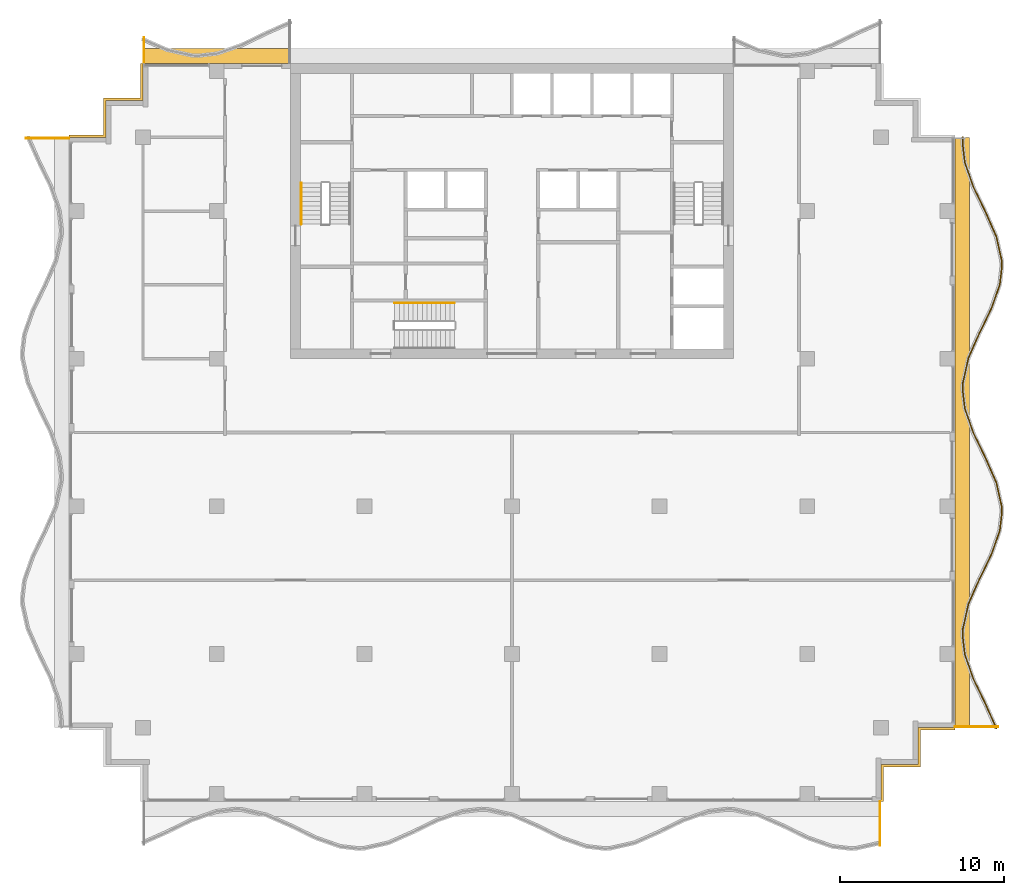
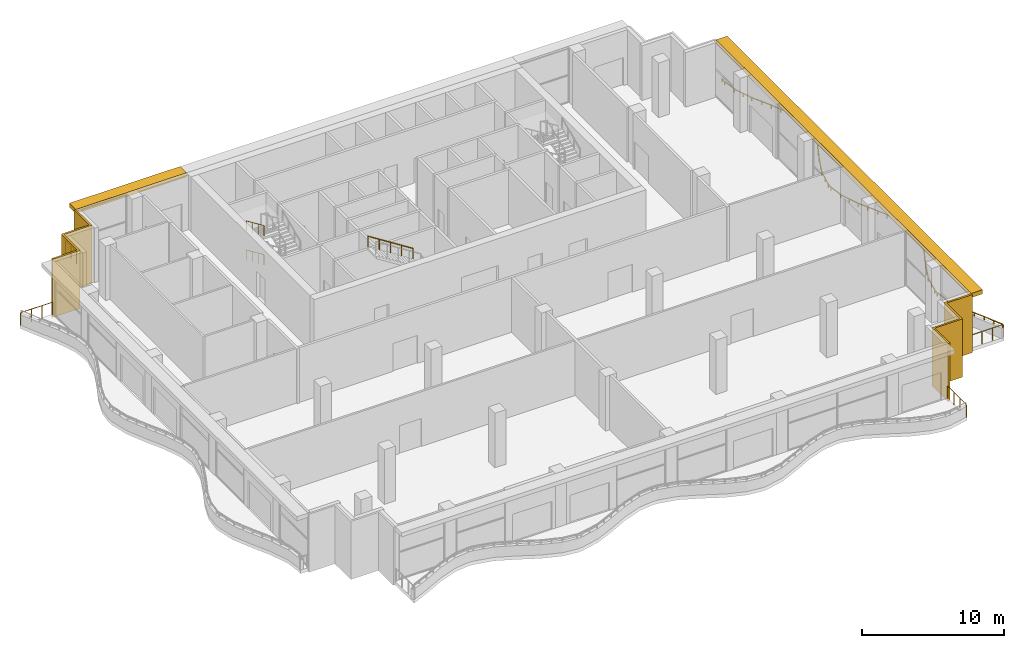
# One storey, part 13 of 14: 8 railings, 4 shading devices.
"""IFC4 building model written with IfcOpenShell, lengths in metres."""

from ifc_helpers import new_model, si_unit, direction, frame, origin, origin_2d, place, context, subcontext, project, spatial, polyline, rectangle, circle, outline, extrude, material, layer, layer_set, type_object, element, save


model = new_model("IFC4")

# Units and contexts
model_context = context("Model", 3, precision=1e-05, world=origin(), true_north=direction((0.0, 1.0)))
body_context = subcontext(model_context, "Body", "Model", "MODEL_VIEW")
ifc_project = project(units=[si_unit("LENGTHUNIT", "METRE"), si_unit("AREAUNIT", "SQUARE_METRE"), si_unit("VOLUMEUNIT", "CUBIC_METRE"), si_unit("PLANEANGLEUNIT", "RADIAN"), si_unit("MASSUNIT", "GRAM", prefix="KILO")], contexts=[model_context])

# Site, building, storey
site_placement = place(None, origin())
site = spatial("IfcSite", under=ifc_project, at=site_placement, CompositionType="ELEMENT")
building_placement = place(site_placement, origin())
building = spatial("IfcBuilding", under=site, at=building_placement, Name="Orbiselva Terraces", CompositionType="ELEMENT")
storey_placement = place(building_placement, frame((0.0, 0.0, 284.4)))
storey = spatial("IfcBuildingStorey", under=building, at=storey_placement, Name="L72", CompositionType="ELEMENT", Elevation=284.4)

# Railings
ifc_material_1 = material(Name="Stainless steel", Category="steel")
railing_type_1 = type_object("IfcRailingType", Name="CORE-HANDRAIL-900", PredefinedType="HANDRAIL", material=ifc_material_1)
for number, where, name in (
    (1, (-12.85, 15.22, 1.375), "L72 S1 stair handrail 2"),
    (2, (-12.85, 15.22, 3.875), "L72 S1 stair handrail 4"),
):
    element("IfcRailing", number, at=place(storey_placement, frame(where)), inside=storey, type_object=railing_type_1, Name=name, PredefinedType="HANDRAIL", context=body_context, shape_type="SweptSolid", body=[
        extrude(circle(Radius=0.024, at=origin_2d()), frame((0.0, 0.0, 0.876), z_axis=(0.0, -0.913137882438, 0.407650840374), x_axis=(1.0, 0.0, 0.0)), (0.0, 0.0, 1.0), 2.759715),
        extrude(circle(Radius=0.021, at=origin_2d()), origin(), (0.0, 0.0, 1.0), 0.852),
        extrude(circle(Radius=0.021, at=origin_2d()), frame((0.0, -0.84, 0.375)), (0.0, 0.0, 1.0), 0.852),
        extrude(circle(Radius=0.021, at=origin_2d()), frame((0.0, -1.68, 0.75)), (0.0, 0.0, 1.0), 0.852),
        extrude(circle(Radius=0.021, at=origin_2d()), frame((0.0, -2.52, 1.125)), (0.0, 0.0, 1.0), 0.852),
    ])
railing_1_placement = place(storey_placement, frame((-3.51, 7.9, 2.678571)))
element("IfcRailing", 3, at=railing_1_placement, inside=storey, type_object=railing_type_1, Name="L72 S3 stair handrail 2", PredefinedType="HANDRAIL", context=body_context, shape_type="SweptSolid", body=[
    extrude(circle(Radius=0.024, at=origin_2d()), frame((0.0, 0.0, 0.876), z_axis=(-0.843129645223, 0.0, 0.537710332192), x_axis=(0.0, -1.0, 0.0)), (0.0, 0.0, 1.0), 4.317248),
    extrude(circle(Radius=0.021, at=origin_2d()), origin(), (0.0, 0.0, 1.0), 0.852),
    extrude(circle(Radius=0.021, at=origin_2d()), frame((-0.91, 0.0, 0.580357)), (0.0, 0.0, 1.0), 0.852),
    extrude(circle(Radius=0.021, at=origin_2d()), frame((-1.82, 0.0, 1.160714)), (0.0, 0.0, 1.0), 0.852),
    extrude(circle(Radius=0.021, at=origin_2d()), frame((-2.73, 0.0, 1.741072)), (0.0, 0.0, 1.0), 0.852),
    extrude(circle(Radius=0.021, at=origin_2d()), frame((-3.64, 0.0, 2.321429)), (0.0, 0.0, 1.0), 0.852),
])
ifc_material_2 = material(Name="Bonded two-ply safety glass balustrade, stainless steel posts", Category="steel")
railing_type_2 = type_object("IfcRailingType", Name="ENV-BALUSTRADE-1200", PredefinedType="BALUSTRADE", material=ifc_material_2)
railing_2_placement = place(storey_placement, frame((29.534136, -18.050394, 0.9)))
element("IfcRailing", 4, at=railing_2_placement, inside=storey, type_object=railing_type_2, Name="Balcony balustrade L72 E", PredefinedType="BALUSTRADE", context=body_context, shape_type="SweptSolid", body=[
    extrude(outline(polyline([(0.028868, 0.0), (0.014434, 0.025), (-0.014434, 0.025), (-0.028868, 0.0), (-0.014434, -0.025), (0.014434, -0.025), (0.028868, 0.0)])), frame((0.0, 0.0, 0.275), z_axis=(-0.403150940408, 0.915133498047, 0.0), x_axis=(-0.915133498047, -0.403150940408, 0.0)), (0.0, 0.0, 1.0), 1.636648),
    extrude(outline(polyline([(0.028868, 0.0), (0.014434, 0.025), (-0.014434, 0.025), (-0.028868, 0.0), (-0.014434, -0.025), (0.014434, -0.025), (0.028868, 0.0)])), frame((-0.659816, 1.497751, 0.275), z_axis=(-0.438812048596, 0.898578870221, 0.0), x_axis=(-0.898578870221, -0.438812048596, 0.0)), (0.0, 0.0, 1.0), 1.674225),
    extrude(outline(polyline([(0.028868, 0.0), (0.014434, 0.025), (-0.014434, 0.025), (-0.028868, 0.0), (-0.014434, -0.025), (0.014434, -0.025), (0.028868, 0.0)])), frame((-1.394486, 3.002174, 0.275), z_axis=(-0.330024597479, 0.943972332783, 0.0), x_axis=(-0.943972332783, -0.330024597479, 0.0)), (0.0, 0.0, 1.0), 1.610253),
    extrude(outline(polyline([(0.028868, 0.0), (0.014434, 0.025), (-0.014434, 0.025), (-0.028868, 0.0), (-0.014434, -0.025), (0.014434, -0.025), (0.028868, 0.0)])), frame((-1.925909, 4.522208, 0.275), z_axis=(-0.115482182324, 0.993309551734, 0.0), x_axis=(-0.993309551734, -0.115482182324, 0.0)), (0.0, 0.0, 1.0), 1.156135),
    extrude(outline(polyline([(0.028868, 0.0), (0.014434, 0.025), (-0.014434, 0.025), (-0.028868, 0.0), (-0.014434, -0.025), (0.014434, -0.025), (0.028868, 0.0)])), frame((-2.059422, 5.670608, 0.275), z_axis=(0.03936915532, 0.999224734286, 0.0), x_axis=(-0.999224734286, 0.03936915532, 0.0)), (0.0, 0.0, 1.0), 0.396376),
    extrude(outline(polyline([(0.028868, 0.0), (0.014434, 0.025), (-0.014434, 0.025), (-0.028868, 0.0), (-0.014434, -0.025), (0.014434, -0.025), (0.028868, 0.0)])), frame((-2.043817, 6.066677, 0.275), z_axis=(0.219015500924, 0.97572137947, 0.0), x_axis=(-0.97572137947, 0.219015500924, 0.0)), (0.0, 0.0, 1.0), 1.560867),
    extrude(outline(polyline([(0.028868, 0.0), (0.014434, 0.025), (-0.014434, 0.025), (-0.028868, 0.0), (-0.014434, -0.025), (0.014434, -0.025), (0.028868, 0.0)])), frame((-1.701963, 7.589648, 0.275), z_axis=(0.403150874148, 0.915133527237, 0.0), x_axis=(-0.915133527237, 0.403150874148, 0.0)), (0.0, 0.0, 1.0), 1.653736),
    extrude(outline(polyline([(0.028868, 0.0), (0.014434, 0.025), (-0.014434, 0.025), (-0.028868, 0.0), (-0.014434, -0.025), (0.014434, -0.025), (0.028868, 0.0)])), frame((-1.035258, 9.103037, 0.275), z_axis=(0.438811978768, 0.89857890432, 0.0), x_axis=(-0.89857890432, 0.438811978768, 0.0)), (0.0, 0.0, 1.0), 1.66438),
    extrude(outline(polyline([(0.028868, 0.0), (0.014434, 0.025), (-0.014434, 0.025), (-0.028868, 0.0), (-0.014434, -0.025), (0.014434, -0.025), (0.028868, 0.0)])), frame((-0.304908, 10.598614, 0.275), z_axis=(0.330024754707, 0.943972277814, 0.0), x_axis=(-0.943972277814, 0.330024754707, 0.0)), (0.0, 0.0, 1.0), 1.567807),
    extrude(outline(polyline([(0.028868, 0.0), (0.014434, 0.025), (-0.014434, 0.025), (-0.028868, 0.0), (-0.014434, -0.025), (0.014434, -0.025), (0.028868, 0.0)])), frame((0.212507, 12.07858, 0.275), z_axis=(0.115481264762, 0.993309658409, 0.0), x_axis=(-0.993309658409, 0.115481264762, 0.0)), (0.0, 0.0, 1.0), 1.10902),
    extrude(outline(polyline([(0.028868, 0.0), (0.014434, 0.025), (-0.014434, 0.025), (-0.028868, 0.0), (-0.014434, -0.025), (0.014434, -0.025), (0.028868, 0.0)])), frame((0.340578, 13.18018, 0.275), z_axis=(-0.039364150694, 0.999224931454, 0.0), x_axis=(-0.999224931454, -0.039364150694, 0.0)), (0.0, 0.0, 1.0), 0.354206),
    extrude(outline(polyline([(0.028868, 0.0), (0.014434, 0.025), (-0.014434, 0.025), (-0.028868, 0.0), (-0.014434, -0.025), (0.014434, -0.025), (0.028868, 0.0)])), frame((0.326635, 13.534111, 0.275), z_axis=(-0.219015740235, 0.975721325753, 0.0), x_axis=(-0.975721325753, -0.219015740235, 0.0)), (0.0, 0.0, 1.0), 1.513782),
    extrude(outline(polyline([(0.028868, 0.0), (0.014434, 0.025), (-0.014434, 0.025), (-0.028868, 0.0), (-0.014434, -0.025), (0.014434, -0.025), (0.028868, 0.0)])), frame((-0.004907, 15.01114, 0.275), z_axis=(-0.403151245402, 0.915133363686, 0.0), x_axis=(-0.915133363686, -0.403151245402, 0.0)), (0.0, 0.0, 1.0), 1.624475),
    extrude(outline(polyline([(0.028868, 0.0), (0.014434, 0.025), (-0.014434, 0.025), (-0.028868, 0.0), (-0.014434, -0.025), (0.014434, -0.025), (0.028868, 0.0)])), frame((-0.659816, 16.497751, 0.275), z_axis=(-0.438812048596, 0.898578870221, 0.0), x_axis=(-0.898578870221, -0.438812048596, 0.0)), (0.0, 0.0, 1.0), 1.674225),
    extrude(outline(polyline([(0.028868, 0.0), (0.014434, 0.025), (-0.014434, 0.025), (-0.028868, 0.0), (-0.014434, -0.025), (0.014434, -0.025), (0.028868, 0.0)])), frame((-1.394486, 18.002174, 0.275), z_axis=(-0.330024597479, 0.943972332783, 0.0), x_axis=(-0.943972332783, -0.330024597479, 0.0)), (0.0, 0.0, 1.0), 1.610253),
    extrude(outline(polyline([(0.028868, 0.0), (0.014434, 0.025), (-0.014434, 0.025), (-0.028868, 0.0), (-0.014434, -0.025), (0.014434, -0.025), (0.028868, 0.0)])), frame((-1.925909, 19.522208, 0.275), z_axis=(-0.115482182324, 0.993309551734, 0.0), x_axis=(-0.993309551734, -0.115482182324, 0.0)), (0.0, 0.0, 1.0), 1.156135),
    extrude(outline(polyline([(0.028868, 0.0), (0.014434, 0.025), (-0.014434, 0.025), (-0.028868, 0.0), (-0.014434, -0.025), (0.014434, -0.025), (0.028868, 0.0)])), frame((-2.059422, 20.670608, 0.275), z_axis=(0.03936915532, 0.999224734286, 0.0), x_axis=(-0.999224734286, 0.03936915532, 0.0)), (0.0, 0.0, 1.0), 0.396376),
    extrude(outline(polyline([(0.028868, 0.0), (0.014434, 0.025), (-0.014434, 0.025), (-0.028868, 0.0), (-0.014434, -0.025), (0.014434, -0.025), (0.028868, 0.0)])), frame((-2.043817, 21.066677, 0.275), z_axis=(0.219015500924, 0.97572137947, 0.0), x_axis=(-0.97572137947, 0.219015500924, 0.0)), (0.0, 0.0, 1.0), 1.560867),
    extrude(outline(polyline([(0.028868, 0.0), (0.014434, 0.025), (-0.014434, 0.025), (-0.028868, 0.0), (-0.014434, -0.025), (0.014434, -0.025), (0.028868, 0.0)])), frame((-1.701963, 22.589648, 0.275), z_axis=(0.403150874148, 0.915133527237, 0.0), x_axis=(-0.915133527237, 0.403150874148, 0.0)), (0.0, 0.0, 1.0), 1.653736),
    extrude(outline(polyline([(0.028868, 0.0), (0.014434, 0.025), (-0.014434, 0.025), (-0.028868, 0.0), (-0.014434, -0.025), (0.014434, -0.025), (0.028868, 0.0)])), frame((-1.035258, 24.103037, 0.275), z_axis=(0.438811978768, 0.89857890432, 0.0), x_axis=(-0.89857890432, 0.438811978768, 0.0)), (0.0, 0.0, 1.0), 1.66438),
    extrude(outline(polyline([(0.028868, 0.0), (0.014434, 0.025), (-0.014434, 0.025), (-0.028868, 0.0), (-0.014434, -0.025), (0.014434, -0.025), (0.028868, 0.0)])), frame((-0.304908, 25.598614, 0.275), z_axis=(0.330024754707, 0.943972277814, 0.0), x_axis=(-0.943972277814, 0.330024754707, 0.0)), (0.0, 0.0, 1.0), 1.567807),
    extrude(outline(polyline([(0.028868, 0.0), (0.014434, 0.025), (-0.014434, 0.025), (-0.028868, 0.0), (-0.014434, -0.025), (0.014434, -0.025), (0.028868, 0.0)])), frame((0.212507, 27.07858, 0.275), z_axis=(0.115481264762, 0.993309658409, 0.0), x_axis=(-0.993309658409, 0.115481264762, 0.0)), (0.0, 0.0, 1.0), 1.10902),
    extrude(outline(polyline([(0.028868, 0.0), (0.014434, 0.025), (-0.014434, 0.025), (-0.028868, 0.0), (-0.014434, -0.025), (0.014434, -0.025), (0.028868, 0.0)])), frame((0.340578, 28.18018, 0.275), z_axis=(-0.039364150694, 0.999224931454, 0.0), x_axis=(-0.999224931454, -0.039364150694, 0.0)), (0.0, 0.0, 1.0), 0.354206),
    extrude(outline(polyline([(0.028868, 0.0), (0.014434, 0.025), (-0.014434, 0.025), (-0.028868, 0.0), (-0.014434, -0.025), (0.014434, -0.025), (0.028868, 0.0)])), frame((0.326635, 28.534111, 0.275), z_axis=(-0.219015740235, 0.975721325753, 0.0), x_axis=(-0.975721325753, -0.219015740235, 0.0)), (0.0, 0.0, 1.0), 1.513782),
    extrude(outline(polyline([(0.028868, 0.0), (0.014434, 0.025), (-0.014434, 0.025), (-0.028868, 0.0), (-0.014434, -0.025), (0.014434, -0.025), (0.028868, 0.0)])), frame((-0.004907, 30.01114, 0.275), z_axis=(-0.403151245402, 0.915133363686, 0.0), x_axis=(-0.915133363686, -0.403151245402, 0.0)), (0.0, 0.0, 1.0), 1.624475),
    extrude(outline(polyline([(0.028868, 0.0), (0.014434, 0.025), (-0.014434, 0.025), (-0.028868, 0.0), (-0.014434, -0.025), (0.014434, -0.025), (0.028868, 0.0)])), frame((-0.659816, 31.497751, 0.275), z_axis=(-0.438812048596, 0.898578870221, 0.0), x_axis=(-0.898578870221, -0.438812048596, 0.0)), (0.0, 0.0, 1.0), 1.674225),
    extrude(outline(polyline([(0.028868, 0.0), (0.014434, 0.025), (-0.014434, 0.025), (-0.028868, 0.0), (-0.014434, -0.025), (0.014434, -0.025), (0.028868, 0.0)])), frame((-1.394486, 33.002174, 0.275), z_axis=(-0.330024597479, 0.943972332783, 0.0), x_axis=(-0.943972332783, -0.330024597479, 0.0)), (0.0, 0.0, 1.0), 1.610253),
    extrude(outline(polyline([(0.028868, 0.0), (0.014434, 0.025), (-0.014434, 0.025), (-0.028868, 0.0), (-0.014434, -0.025), (0.014434, -0.025), (0.028868, 0.0)])), frame((-1.925909, 34.522208, 0.275), z_axis=(-0.115482182324, 0.993309551734, 0.0), x_axis=(-0.993309551734, -0.115482182324, 0.0)), (0.0, 0.0, 1.0), 1.156135),
    extrude(outline(polyline([(0.028868, 0.0), (0.014434, 0.025), (-0.014434, 0.025), (-0.028868, 0.0), (-0.014434, -0.025), (0.014434, -0.025), (0.028868, 0.0)])), frame((-2.059422, 35.670608, 0.275), z_axis=(0.039368272023, 0.999224769087, 0.0), x_axis=(-0.999224769087, 0.039368272023, 0.0)), (0.0, 0.0, 1.0), 0.385005),
    extrude(rectangle(XDim=0.05, YDim=0.05, at=origin_2d()), origin(), (0.0, 0.0, 1.0), 0.25),
    extrude(rectangle(XDim=0.05, YDim=0.05, at=origin_2d()), frame((-0.329908, 0.748876, 0.0)), (0.0, 0.0, 1.0), 0.25),
    extrude(rectangle(XDim=0.05, YDim=0.05, at=origin_2d()), frame((-0.659816, 1.497751, 0.0)), (0.0, 0.0, 1.0), 0.25),
    extrude(rectangle(XDim=0.05, YDim=0.05, at=origin_2d()), frame((-1.027151, 2.249963, 0.0)), (0.0, 0.0, 1.0), 0.25),
    extrude(rectangle(XDim=0.05, YDim=0.05, at=origin_2d()), frame((-1.394486, 3.002174, 0.0)), (0.0, 0.0, 1.0), 0.25),
    extrude(rectangle(XDim=0.05, YDim=0.05, at=origin_2d()), frame((-1.660198, 3.762191, 0.0)), (0.0, 0.0, 1.0), 0.25),
    extrude(rectangle(XDim=0.05, YDim=0.05, at=origin_2d()), frame((-1.925909, 4.522208, 0.0)), (0.0, 0.0, 1.0), 0.25),
    extrude(rectangle(XDim=0.05, YDim=0.05, at=origin_2d()), frame((-2.059422, 5.670608, 0.0)), (0.0, 0.0, 1.0), 0.25),
    extrude(rectangle(XDim=0.05, YDim=0.05, at=origin_2d()), frame((-2.043817, 6.066677, 0.0)), (0.0, 0.0, 1.0), 0.25),
    extrude(rectangle(XDim=0.05, YDim=0.05, at=origin_2d()), frame((-1.87289, 6.828162, 0.0)), (0.0, 0.0, 1.0), 0.25),
    extrude(rectangle(XDim=0.05, YDim=0.05, at=origin_2d()), frame((-1.701963, 7.589648, 0.0)), (0.0, 0.0, 1.0), 0.25),
    extrude(rectangle(XDim=0.05, YDim=0.05, at=origin_2d()), frame((-1.36861, 8.346342, 0.0)), (0.0, 0.0, 1.0), 0.25),
    extrude(rectangle(XDim=0.05, YDim=0.05, at=origin_2d()), frame((-1.035258, 9.103037, 0.0)), (0.0, 0.0, 1.0), 0.25),
    extrude(rectangle(XDim=0.05, YDim=0.05, at=origin_2d()), frame((-0.670083, 9.850826, 0.0)), (0.0, 0.0, 1.0), 0.25),
    extrude(rectangle(XDim=0.05, YDim=0.05, at=origin_2d()), frame((-0.304908, 10.598614, 0.0)), (0.0, 0.0, 1.0), 0.25),
    extrude(rectangle(XDim=0.05, YDim=0.05, at=origin_2d()), frame((-0.046201, 11.338597, 0.0)), (0.0, 0.0, 1.0), 0.25),
    extrude(rectangle(XDim=0.05, YDim=0.05, at=origin_2d()), frame((0.212507, 12.07858, 0.0)), (0.0, 0.0, 1.0), 0.25),
    extrude(rectangle(XDim=0.05, YDim=0.05, at=origin_2d()), frame((0.340578, 13.18018, 0.0)), (0.0, 0.0, 1.0), 0.25),
    extrude(rectangle(XDim=0.05, YDim=0.05, at=origin_2d()), frame((0.326635, 13.534111, 0.0)), (0.0, 0.0, 1.0), 0.25),
    extrude(rectangle(XDim=0.05, YDim=0.05, at=origin_2d()), frame((0.160864, 14.272626, 0.0)), (0.0, 0.0, 1.0), 0.25),
    extrude(rectangle(XDim=0.05, YDim=0.05, at=origin_2d()), frame((-0.004907, 15.01114, 0.0)), (0.0, 0.0, 1.0), 0.25),
    extrude(rectangle(XDim=0.05, YDim=0.05, at=origin_2d()), frame((-0.332361, 15.754446, 0.0)), (0.0, 0.0, 1.0), 0.25),
    extrude(rectangle(XDim=0.05, YDim=0.05, at=origin_2d()), frame((-0.659816, 16.497751, 0.0)), (0.0, 0.0, 1.0), 0.25),
    extrude(rectangle(XDim=0.05, YDim=0.05, at=origin_2d()), frame((-1.027151, 17.249963, 0.0)), (0.0, 0.0, 1.0), 0.25),
    extrude(rectangle(XDim=0.05, YDim=0.05, at=origin_2d()), frame((-1.394486, 18.002174, 0.0)), (0.0, 0.0, 1.0), 0.25),
    extrude(rectangle(XDim=0.05, YDim=0.05, at=origin_2d()), frame((-1.660198, 18.762191, 0.0)), (0.0, 0.0, 1.0), 0.25),
    extrude(rectangle(XDim=0.05, YDim=0.05, at=origin_2d()), frame((-1.925909, 19.522208, 0.0)), (0.0, 0.0, 1.0), 0.25),
    extrude(rectangle(XDim=0.05, YDim=0.05, at=origin_2d()), frame((-2.059422, 20.670608, 0.0)), (0.0, 0.0, 1.0), 0.25),
    extrude(rectangle(XDim=0.05, YDim=0.05, at=origin_2d()), frame((-2.043817, 21.066677, 0.0)), (0.0, 0.0, 1.0), 0.25),
    extrude(rectangle(XDim=0.05, YDim=0.05, at=origin_2d()), frame((-1.87289, 21.828162, 0.0)), (0.0, 0.0, 1.0), 0.25),
    extrude(rectangle(XDim=0.05, YDim=0.05, at=origin_2d()), frame((-1.701963, 22.589648, 0.0)), (0.0, 0.0, 1.0), 0.25),
    extrude(rectangle(XDim=0.05, YDim=0.05, at=origin_2d()), frame((-1.36861, 23.346342, 0.0)), (0.0, 0.0, 1.0), 0.25),
    extrude(rectangle(XDim=0.05, YDim=0.05, at=origin_2d()), frame((-1.035258, 24.103037, 0.0)), (0.0, 0.0, 1.0), 0.25),
    extrude(rectangle(XDim=0.05, YDim=0.05, at=origin_2d()), frame((-0.670083, 24.850826, 0.0)), (0.0, 0.0, 1.0), 0.25),
    extrude(rectangle(XDim=0.05, YDim=0.05, at=origin_2d()), frame((-0.304908, 25.598614, 0.0)), (0.0, 0.0, 1.0), 0.25),
    extrude(rectangle(XDim=0.05, YDim=0.05, at=origin_2d()), frame((-0.046201, 26.338597, 0.0)), (0.0, 0.0, 1.0), 0.25),
    extrude(rectangle(XDim=0.05, YDim=0.05, at=origin_2d()), frame((0.212507, 27.07858, 0.0)), (0.0, 0.0, 1.0), 0.25),
    extrude(rectangle(XDim=0.05, YDim=0.05, at=origin_2d()), frame((0.340578, 28.18018, 0.0)), (0.0, 0.0, 1.0), 0.25),
    extrude(rectangle(XDim=0.05, YDim=0.05, at=origin_2d()), frame((0.326635, 28.534111, 0.0)), (0.0, 0.0, 1.0), 0.25),
    extrude(rectangle(XDim=0.05, YDim=0.05, at=origin_2d()), frame((0.160864, 29.272626, 0.0)), (0.0, 0.0, 1.0), 0.25),
    extrude(rectangle(XDim=0.05, YDim=0.05, at=origin_2d()), frame((-0.004907, 30.01114, 0.0)), (0.0, 0.0, 1.0), 0.25),
    extrude(rectangle(XDim=0.05, YDim=0.05, at=origin_2d()), frame((-0.332361, 30.754446, 0.0)), (0.0, 0.0, 1.0), 0.25),
    extrude(rectangle(XDim=0.05, YDim=0.05, at=origin_2d()), frame((-0.659816, 31.497751, 0.0)), (0.0, 0.0, 1.0), 0.25),
    extrude(rectangle(XDim=0.05, YDim=0.05, at=origin_2d()), frame((-1.027151, 32.249962, 0.0)), (0.0, 0.0, 1.0), 0.25),
    extrude(rectangle(XDim=0.05, YDim=0.05, at=origin_2d()), frame((-1.394486, 33.002174, 0.0)), (0.0, 0.0, 1.0), 0.25),
    extrude(rectangle(XDim=0.05, YDim=0.05, at=origin_2d()), frame((-1.660198, 33.762191, 0.0)), (0.0, 0.0, 1.0), 0.25),
    extrude(rectangle(XDim=0.05, YDim=0.05, at=origin_2d()), frame((-1.925909, 34.522208, 0.0)), (0.0, 0.0, 1.0), 0.25),
    extrude(rectangle(XDim=0.05, YDim=0.05, at=origin_2d()), frame((-2.059422, 35.670608, 0.0)), (0.0, 0.0, 1.0), 0.25),
    extrude(rectangle(XDim=0.05, YDim=0.05, at=origin_2d()), frame((-2.044265, 36.055315, 0.0)), (0.0, 0.0, 1.0), 0.25),
])
ifc_material_3 = material(Name="Stainless steel rail and posts", Category="steel")
railing_type_3 = type_object("IfcRailingType", Name="ENV-GUARD-1105", PredefinedType="BALUSTRADE", material=ifc_material_3)
railing_3_placement = place(storey_placement, frame((22.44, -25.169584, 0.0)))
element("IfcRailing", 5, at=railing_3_placement, inside=storey, type_object=railing_type_3, Name="Balcony end guard L72 S", PredefinedType="BALUSTRADE", context=body_context, shape_type="SweptSolid", body=[
    extrude(outline(polyline([(0.028868, 0.0), (0.014434, 0.025), (-0.014434, 0.025), (-0.028868, 0.0), (-0.014434, -0.025), (0.014434, -0.025), (0.028868, 0.0)])), frame((0.0, 0.0, 1.08), z_axis=(0.0, 1.0, 0.0), x_axis=(-1.0, 0.0, 0.0)), (0.0, 0.0, 1.0), 2.644584),
    extrude(rectangle(XDim=0.05, YDim=0.05, at=origin_2d()), origin(), (0.0, 0.0, 1.0), 1.055),
    extrude(rectangle(XDim=0.05, YDim=0.05, at=origin_2d()), frame((0.0, 0.881528, 0.0)), (0.0, 0.0, 1.0), 1.055),
    extrude(rectangle(XDim=0.05, YDim=0.05, at=origin_2d()), frame((0.0, 1.763056, 0.0)), (0.0, 0.0, 1.0), 1.055),
    extrude(rectangle(XDim=0.05, YDim=0.05, at=origin_2d()), frame((0.0, 2.644584, 0.0)), (0.0, 0.0, 1.0), 1.055),
])
railing_4_placement = place(storey_placement, frame((29.626937, -17.94, 0.0)))
element("IfcRailing", 6, at=railing_4_placement, inside=storey, type_object=railing_type_3, Name="Balcony end guard L72 E", PredefinedType="BALUSTRADE", context=body_context, shape_type="SweptSolid", body=[
    extrude(outline(polyline([(0.028868, 0.0), (0.014434, 0.025), (-0.014434, 0.025), (-0.028868, 0.0), (-0.014434, -0.025), (0.014434, -0.025), (0.028868, 0.0)])), frame((0.0, 0.0, 1.08), z_axis=(-1.0, 0.0, 0.0), x_axis=(0.0, -1.0, 0.0)), (0.0, 0.0, 1.0), 2.601937),
    extrude(rectangle(XDim=0.05, YDim=0.05, at=origin_2d()), origin(), (0.0, 0.0, 1.0), 1.055),
    extrude(rectangle(XDim=0.05, YDim=0.05, at=origin_2d()), frame((-0.867312, 0.0, 0.0)), (0.0, 0.0, 1.0), 1.055),
    extrude(rectangle(XDim=0.05, YDim=0.05, at=origin_2d()), frame((-1.734625, 0.0, 0.0)), (0.0, 0.0, 1.0), 1.055),
    extrude(rectangle(XDim=0.05, YDim=0.05, at=origin_2d()), frame((-2.601937, 0.0, 0.0)), (0.0, 0.0, 1.0), 1.055),
])
railing_5_placement = place(storey_placement, frame((-22.44, 24.082553, 0.0)))
element("IfcRailing", 7, at=railing_5_placement, inside=storey, type_object=railing_type_3, Name="Balcony end guard L72 NW", PredefinedType="BALUSTRADE", context=body_context, shape_type="SweptSolid", body=[
    extrude(outline(polyline([(0.028868, 0.0), (0.014434, 0.025), (-0.014434, 0.025), (-0.028868, 0.0), (-0.014434, -0.025), (0.014434, -0.025), (0.028868, 0.0)])), frame((0.0, 0.0, 1.08), z_axis=(0.0, -1.0, 0.0), x_axis=(1.0, 0.0, 0.0)), (0.0, 0.0, 1.0), 1.557553),
    extrude(rectangle(XDim=0.05, YDim=0.05, at=origin_2d()), origin(), (0.0, 0.0, 1.0), 1.055),
    extrude(rectangle(XDim=0.05, YDim=0.05, at=origin_2d()), frame((0.0, -0.778777, 0.0)), (0.0, 0.0, 1.0), 1.055),
    extrude(rectangle(XDim=0.05, YDim=0.05, at=origin_2d()), frame((0.0, -1.557553, 0.0)), (0.0, 0.0, 1.0), 1.055),
])
railing_6_placement = place(storey_placement, frame((-29.626937, 17.94, 0.0)))
element("IfcRailing", 8, at=railing_6_placement, inside=storey, type_object=railing_type_3, Name="Balcony end guard L72 W", PredefinedType="BALUSTRADE", context=body_context, shape_type="SweptSolid", body=[
    extrude(outline(polyline([(0.028868, 0.0), (0.014434, 0.025), (-0.014434, 0.025), (-0.028868, 0.0), (-0.014434, -0.025), (0.014434, -0.025), (0.028868, 0.0)])), frame((0.0, 0.0, 1.08), z_axis=(1.0, 0.0, 0.0), x_axis=(0.0, 1.0, 0.0)), (0.0, 0.0, 1.0), 2.601937),
    extrude(rectangle(XDim=0.05, YDim=0.05, at=origin_2d()), origin(), (0.0, 0.0, 1.0), 1.055),
    extrude(rectangle(XDim=0.05, YDim=0.05, at=origin_2d()), frame((0.867312, 0.0, 0.0)), (0.0, 0.0, 1.0), 1.055),
    extrude(rectangle(XDim=0.05, YDim=0.05, at=origin_2d()), frame((1.734625, 0.0, 0.0)), (0.0, 0.0, 1.0), 1.055),
    extrude(rectangle(XDim=0.05, YDim=0.05, at=origin_2d()), frame((2.601937, 0.0, 0.0)), (0.0, 0.0, 1.0), 1.055),
])

# Shading devices
ifc_material_4 = material(Name="Terracotta louvre screen", Category="masonry")
ifc_layer_1 = layer(ifc_material_4, 0.15)
ifc_layer_set_1 = layer_set([ifc_layer_1], Name="Terracotta louvre screen")
shading_device_type_1 = type_object("IfcShadingDeviceType", Name="ENV-SCREEN-150", PredefinedType="USERDEFINED", material=ifc_layer_set_1)
shading_device_1_placement = place(storey_placement, frame((0.0, 0.0, -0.3)))
element("IfcShadingDevice", 9, at=shading_device_1_placement, inside=storey, type_object=shading_device_type_1, Name="Louvre screen L72 NW", ObjectType="SCREEN", PredefinedType="USERDEFINED", context=body_context, shape_type="SweptSolid", body=[
    extrude(outline(polyline([(-22.65, 22.5), (-22.65, 20.4), (-24.9, 20.4), (-24.9, 18.15), (-27.0, 18.15), (-27.0, 18.0), (-24.75, 18.0), (-24.75, 20.25), (-22.5, 20.25), (-22.5, 22.5), (-22.65, 22.5)])), origin(), (0.0, 0.0, 1.0), 5.0),
])
shading_device_2_placement = place(storey_placement, frame((0.0, 0.0, -0.3)))
element("IfcShadingDevice", 10, at=shading_device_2_placement, inside=storey, type_object=shading_device_type_1, Name="Louvre screen L72 SE", ObjectType="SCREEN", PredefinedType="USERDEFINED", context=body_context, shape_type="SweptSolid", body=[
    extrude(outline(polyline([(22.65, -22.5), (22.65, -20.4), (24.9, -20.4), (24.9, -18.15), (27.0, -18.15), (27.0, -18.0), (24.75, -18.0), (24.75, -20.25), (22.5, -20.25), (22.5, -22.5), (22.65, -22.5)])), origin(), (0.0, 0.0, 1.0), 5.0),
])
ifc_material_5 = material(Name="Terracotta baguette sunshade", Category="masonry")
ifc_layer_2 = layer(ifc_material_5, 0.35)
ifc_layer_set_2 = layer_set([ifc_layer_2], Name="Terracotta baguette sunshade")
shading_device_type_2 = type_object("IfcShadingDeviceType", Name="ENV-SUNSHADE-900x350", PredefinedType="USERDEFINED", material=ifc_layer_set_2)
shading_device_3_placement = place(storey_placement, frame((0.0, 0.0, 4.35)))
element("IfcShadingDevice", 11, at=shading_device_3_placement, inside=storey, type_object=shading_device_type_2, Name="Sunshade band L72 E", ObjectType="SUNSHADE", PredefinedType="USERDEFINED", context=body_context, shape_type="SweptSolid", body=[
    extrude(outline(polyline([(27.9, -18.0), (27.9, 18.0), (27.0, 18.0), (27.0, -18.0), (27.9, -18.0)])), origin(), (0.0, 0.0, 1.0), 0.35),
])
shading_device_4_placement = place(storey_placement, frame((0.0, 0.0, 4.35)))
element("IfcShadingDevice", 12, at=shading_device_4_placement, inside=storey, type_object=shading_device_type_2, Name="Sunshade band L72 NW", ObjectType="SUNSHADE", PredefinedType="USERDEFINED", context=body_context, shape_type="SweptSolid", body=[
    extrude(outline(polyline([(-13.5, 23.4), (-22.5, 23.4), (-22.5, 22.5), (-13.5, 22.5), (-13.5, 23.4)])), origin(), (0.0, 0.0, 1.0), 0.35),
])

save(model, "model.ifc")
